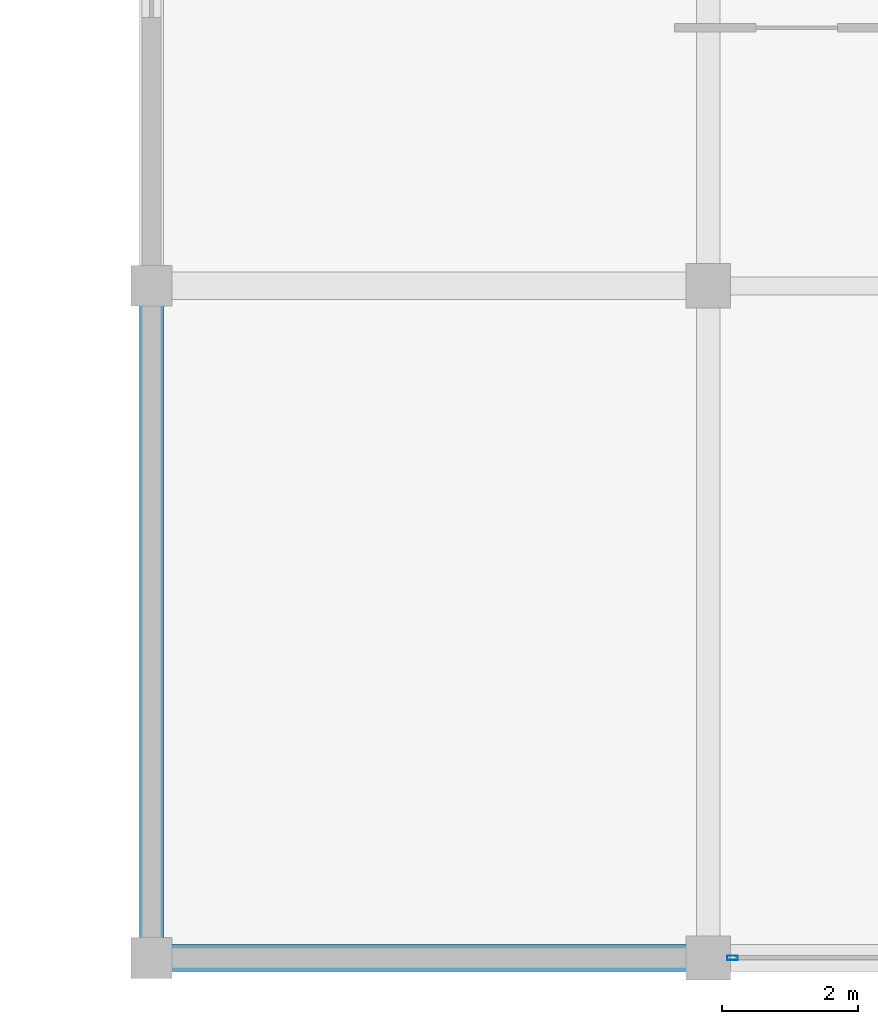
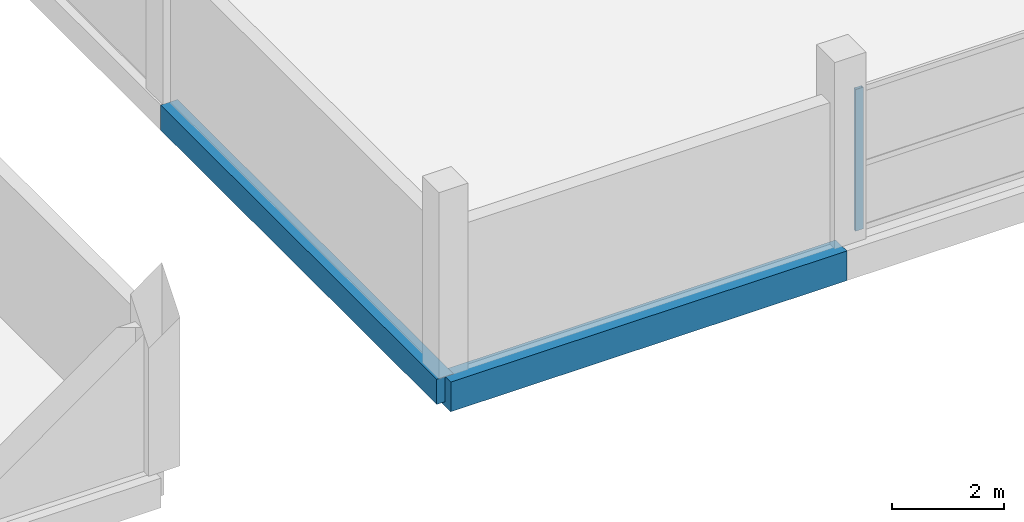
# One storey, part 12 of 66: 2 beams, 1 member, 1 element without a shape of its own.
"""IFC4 building model written with IfcOpenShell, lengths in metres."""

from ifc_helpers import new_model, si_unit, direction, frame, origin, origin_2d, place, context, subcontext, project, spatial, rectangle, hollow_rectangle, extrude, material, layer, layer_set, material_profile, profile_set, type_object, element, aggregate, save


model = new_model("IFC4")

# Units and contexts
model_context = context("Model", 3, precision=1e-05, world=origin(), true_north=direction((0.0, 1.0)))
body_context = subcontext(model_context, "Body", "Model", "MODEL_VIEW")
ifc_project = project(units=[si_unit("LENGTHUNIT", "METRE"), si_unit("AREAUNIT", "SQUARE_METRE"), si_unit("VOLUMEUNIT", "CUBIC_METRE"), si_unit("PLANEANGLEUNIT", "RADIAN"), si_unit("MASSUNIT", "GRAM", prefix="KILO")], contexts=[model_context])

# Site, building, storey
site_placement = place(None, origin())
site = spatial("IfcSite", under=ifc_project, at=site_placement, CompositionType="ELEMENT")
building_placement = place(site_placement, origin())
building = spatial("IfcBuilding", under=site, at=building_placement, Name="Sillaruma Civic Art Gallery", CompositionType="ELEMENT")
storey_placement = place(building_placement, frame((0.0, 0.0, 62.219970703125)))
storey = spatial("IfcBuildingStorey", under=building, at=storey_placement, Name="L12", CompositionType="ELEMENT", Elevation=62.219970703125)

# Beams
ifc_material_1 = material(Name="Concrete H35 (35 MPa)", Category="concrete")
ifc_material_profile_1 = material_profile(ifc_material_1, rectangle(XDim=0.35009765625, YDim=0.550048828125, at=origin_2d()), Name="RCB350x550")
ifc_profile_set_1 = profile_set([ifc_material_profile_1], Name="Concrete H35 (35 MPa)")
beam_type_1 = type_object("IfcBeamType", Name="BM-SPANDREL-RCB350x550", PredefinedType="SPANDREL", material=ifc_profile_set_1)
beam_1_placement = place(storey_placement, frame((98.0, 19.800048828125, -0.5048828125), z_axis=(0.0, 1.0, 0.0), x_axis=(-1.0, 0.0, 0.0)))
element("IfcBeam", 1, at=beam_1_placement, inside=storey, type_object=beam_type_1, Name="Beam BS-04 (L11:L:3-4)", PredefinedType="SPANDREL", context=body_context, shape_type="SweptSolid", body=[
    extrude(rectangle(XDim=0.35009765625, YDim=0.550048828125, at=origin_2d()), origin(), (0.0, 0.0, 1.0), 9.89990234375),
])
ifc_material_profile_2 = material_profile(ifc_material_1, rectangle(XDim=0.39990234375, YDim=0.64990234375, at=origin_2d()), Name="RCB400x650")
ifc_profile_set_2 = profile_set([ifc_material_profile_2], Name="Concrete H35 (35 MPa)")
beam_type_2 = type_object("IfcBeamType", Name="BM-SPANDREL-RCB400x650", PredefinedType="SPANDREL", material=ifc_profile_set_2)
beam_2_placement = place(storey_placement, frame((98.0, 19.800048828125, -0.554931640625), z_axis=(1.0, 0.0, 0.0), x_axis=(0.0, 1.0, 0.0)))
element("IfcBeam", 2, at=beam_2_placement, inside=storey, type_object=beam_type_2, Name="Beam BS-02 (L11:3:L-M)", PredefinedType="SPANDREL", context=body_context, shape_type="SweptSolid", body=[
    extrude(rectangle(XDim=0.39990234375, YDim=0.64990234375, at=origin_2d()), origin(), (0.0, 0.0, 1.0), 8.199951171875),
])

# Curtain wall, member
ifc_material_2 = material(Name="Thermally Broken Extruded Aluminium 6063-T6", Category="aluminium")
ifc_layer = layer(ifc_material_2, 0.159912109375, Name="Thermally Broken Extruded Aluminium 6063-T6")
ifc_layer_set = layer_set([ifc_layer], Name="Thermally Broken Extruded Aluminium 6063-T6")
curtain_wall_type = type_object("IfcCurtainWallType", Name="CW-UNI-103", PredefinedType="NOTDEFINED", material=ifc_layer_set)
curtain_wall_placement = place(storey_placement, origin())
curtain_wall = element("IfcCurtainWall", 3, at=curtain_wall_placement, inside=storey, type_object=curtain_wall_type, Name="Unitised Curtain Wall CW-103 (CW-L12-EBS-2)", PredefinedType="NOTDEFINED")
ifc_material_profile_3 = material_profile(ifc_material_2, hollow_rectangle(XDim=0.06494140625, YDim=0.159912109375, WallThickness=0.00390625, at=origin_2d()), Name="CWM65x160")
ifc_profile_set_3 = profile_set([ifc_material_profile_3], Name="Thermally Broken Extruded Aluminium 6063-T6")
member_type = type_object("IfcMemberType", Name="MEM-MUL-CWM65x160", PredefinedType="MULLION", material=ifc_profile_set_3)
member_placement = place(storey_placement, frame((106.5576171875, 19.800048828125, 0.0), z_axis=(0.0, 0.0, 1.0), x_axis=(0.0, 1.0, 0.0)))
member = element("IfcMember", 4, at=member_placement, type_object=member_type, Name="CW-103 mullion 1", PredefinedType="MULLION", context=body_context, shape_type="SweptSolid", body=[
    extrude(hollow_rectangle(XDim=0.06494140625, YDim=0.159912109375, WallThickness=0.00390625, at=origin_2d()), origin(), (0.0, 0.0, 1.0), 3.10009765625),
])
aggregate(curtain_wall, [member])

save(model, "model.ifc")
